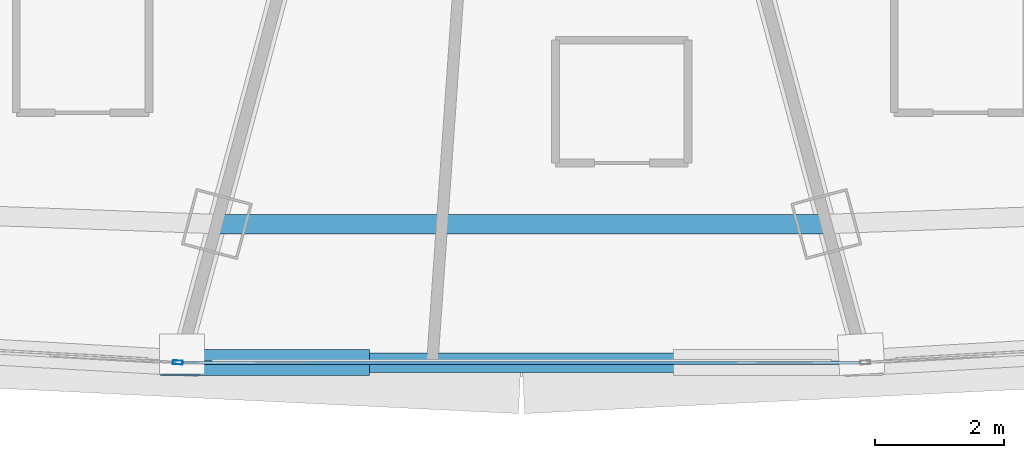
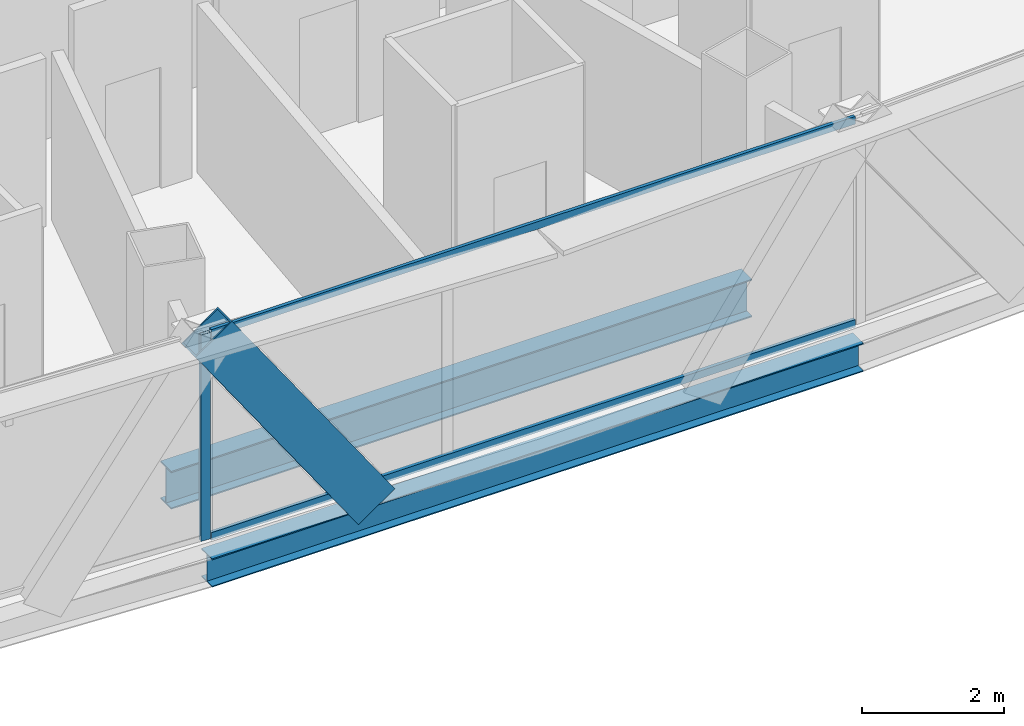
# One storey, part 10 of 40: 4 members, 2 beams, 2 elements without a shape of their own.
"""IFC4 building model written with IfcOpenShell, lengths in metres."""

from ifc_helpers import new_model, si_unit, direction, frame, origin, origin_2d, place, context, subcontext, project, spatial, hollow_rectangle, i_section, extrude, source, transform, mapped, material, layer, layer_set, material_profile, profile_set, type_object, element, aggregate, save


model = new_model("IFC4")

# Units and contexts
model_context = context("Model", 3, precision=1e-05, world=origin(), true_north=direction((0.0, 1.0)))
body_context = subcontext(model_context, "Body", "Model", "MODEL_VIEW")
ifc_project = project(units=[si_unit("LENGTHUNIT", "METRE"), si_unit("AREAUNIT", "SQUARE_METRE"), si_unit("VOLUMEUNIT", "CUBIC_METRE"), si_unit("PLANEANGLEUNIT", "RADIAN"), si_unit("MASSUNIT", "GRAM", prefix="KILO"), si_unit("THERMODYNAMICTEMPERATUREUNIT", "KELVIN"), si_unit("POWERUNIT", "WATT")], contexts=[model_context])

# Site, building, storey
site_placement = place(None, origin())
site = spatial("IfcSite", under=ifc_project, at=site_placement, CompositionType="ELEMENT")
building_placement = place(site_placement, origin())
building = spatial("IfcBuilding", under=site, at=building_placement, Name="Yunzhuo Pagoda Commons", CompositionType="ELEMENT")
storey_placement = place(building_placement, frame((0.0, 0.0, 188.56005859375)))
storey = spatial("IfcBuildingStorey", under=building, at=storey_placement, Name="L47", CompositionType="ELEMENT", Elevation=188.56005859375)

# Beams
ifc_material_1 = material(Name="Structural steel Q355B", Category="steel")
ifc_material_profile_1 = material_profile(ifc_material_1, i_section(OverallWidth=0.300048828125, OverallDepth=0.488037109375, WebThickness=0.010986328125, FlangeThickness=0.01806640625, at=origin_2d()), Name="Structural steel Q355B")
ifc_profile_set_1 = profile_set([ifc_material_profile_1], Name="Structural steel Q355B")
beam_type_1 = type_object("IfcBeamType", Name="B-SP1 Beam HM 488x300x11x18", PredefinedType="BEAM", material=ifc_profile_set_1)
shared_shape_1 = source(origin(), body_context, "Body", "SweptSolid", [
    extrude(i_section(OverallWidth=0.300048828125, OverallDepth=0.488037109375, WebThickness=0.010986328125, FlangeThickness=0.01806640625, at=origin_2d()), origin(), (0.0, 0.0, 1.0), 10.5732421875),
])
beam_1_placement = place(storey_placement, frame((42.71337890625, 13.970458984375, -0.504150390625), z_axis=(1.0, 0.0, 0.0), x_axis=(0.0, 1.0, 0.0)))
element("IfcBeam", 1, at=beam_1_placement, inside=storey, type_object=beam_type_1, Name="L47 facade edge spandrel beam F1.2", PredefinedType="BEAM", context=body_context, shape_type="MappedRepresentation", body=[
    mapped(shared_shape_1, transform((0.0, 0.0, 0.0), scale=1.0)),
])
ifc_material_profile_2 = material_profile(ifc_material_1, i_section(OverallWidth=0.300048828125, OverallDepth=0.64990234375, WebThickness=0.012939453125, FlangeThickness=0.02197265625, at=origin_2d()), Name="Structural steel Q355B")
ifc_profile_set_2 = profile_set([ifc_material_profile_2], Name="Structural steel Q355B")
beam_type_2 = type_object("IfcBeamType", Name="B-RG2 Beam HN 650x300x13x22", PredefinedType="BEAM", material=ifc_profile_set_2)
shared_shape_2 = source(origin(), body_context, "Body", "SweptSolid", [
    extrude(i_section(OverallWidth=0.300048828125, OverallDepth=0.64990234375, WebThickness=0.012939453125, FlangeThickness=0.02197265625, at=origin_2d()), origin(), (0.0, 0.0, 1.0), 9.42529296875),
])
beam_2_placement = place(storey_placement, frame((43.28759765625, 16.1123046875, -0.5849609375), z_axis=(1.0, 0.0, 0.0), x_axis=(0.0, 1.0, 0.0)))
element("IfcBeam", 2, at=beam_2_placement, inside=storey, type_object=beam_type_2, Name="L47 column-ring beam 2", PredefinedType="BEAM", context=body_context, shape_type="MappedRepresentation", body=[
    mapped(shared_shape_2, transform((0.0, 0.0, 0.0), scale=1.0)),
])

# Member
ifc_material_profile_3 = material_profile(ifc_material_1, hollow_rectangle(XDim=0.39990234375, YDim=0.719970703125, WallThickness=0.02392578125, at=origin_2d()), Name="Structural steel Q355B")
ifc_profile_set_3 = profile_set([ifc_material_profile_3], Name="Structural steel Q355B")
member_type_1 = type_object("IfcMemberType", Name="M-DL2 Brace BOX 720x400x24", PredefinedType="BRACE", material=ifc_profile_set_3)
shared_shape_3 = source(origin(), body_context, "Body", "SweptSolid", [
    extrude(hollow_rectangle(XDim=0.39990234375, YDim=0.719970703125, WallThickness=0.02392578125, at=origin_2d()), origin(), (0.0, 0.0, 1.0), 4.629150390625),
])
member_1_placement = place(storey_placement, frame((45.35693359375, 13.970458984375, -0.260009765625), z_axis=(-0.571070669197, 0.0, 0.820900901926), x_axis=(0.0, -1.0, 0.0)))
element("IfcMember", 3, at=member_1_placement, inside=storey, type_object=member_type_1, Name="L47 facade diamond brace F1.2L", PredefinedType="BRACE", context=body_context, shape_type="MappedRepresentation", body=[
    mapped(shared_shape_3, transform((0.0, 0.0, 0.0), scale=1.0)),
])

# Curtain wall, member
ifc_material_2 = material(Name="Anodized aluminium 6063-T6", Category="aluminium")
ifc_layer = layer(ifc_material_2, 0.14990234375)
ifc_layer_set = layer_set([ifc_layer], Name="Anodized aluminium 6063-T6")
curtain_wall_type = type_object("IfcCurtainWallType", Name="CW-MID Mid-Zone Ribbon Curtain Wall", PredefinedType="NOTDEFINED", material=ifc_layer_set)
curtain_wall_1_placement = place(storey_placement, origin())
curtain_wall_1 = element("IfcCurtainWall", 4, at=curtain_wall_1_placement, inside=storey, type_object=curtain_wall_type, Name="L47 curtain wall CW-L47-F1B2", PredefinedType="NOTDEFINED")
ifc_material_profile_4 = material_profile(ifc_material_2, hollow_rectangle(XDim=0.06005859375, YDim=0.14990234375, WallThickness=0.00390625, at=origin_2d()), Name="Anodized aluminium 6063-T6")
ifc_profile_set_4 = profile_set([ifc_material_profile_4], Name="Anodized aluminium 6063-T6")
member_type_2 = type_object("IfcMemberType", Name="CW-MID-M Mullion RHS 150x60x4", PredefinedType="MULLION", material=ifc_profile_set_4)
shared_shape_4 = source(origin(), body_context, "Body", "SweptSolid", [
    extrude(hollow_rectangle(XDim=0.06005859375, YDim=0.14990234375, WallThickness=0.00390625, at=origin_2d()), origin(), (0.0, 0.0, 1.0), 3.5400390625),
])
member_2_placement = place(storey_placement, frame((42.68359375, 13.97216796875, 0.0), z_axis=(0.0, 0.0, 1.0), x_axis=(0.056142665584, 0.998422756702, 0.0)))
member_2 = element("IfcMember", 5, at=member_2_placement, type_object=member_type_2, Name="CW mullion 2", PredefinedType="MULLION", context=body_context, shape_type="MappedRepresentation", body=[
    mapped(shared_shape_4, transform((0.0, 0.0, 0.0), scale=1.0)),
])
aggregate(curtain_wall_1, [member_2])

# Curtain wall, members
curtain_wall_2_placement = place(storey_placement, origin())
curtain_wall_2 = element("IfcCurtainWall", 6, at=curtain_wall_2_placement, inside=storey, type_object=curtain_wall_type, Name="L47 curtain wall CW-L47-F1B3", PredefinedType="NOTDEFINED")
ifc_material_profile_5 = material_profile(ifc_material_2, hollow_rectangle(XDim=0.054931640625, YDim=0.1298828125, WallThickness=0.00341796875, at=origin_2d()), Name="Anodized aluminium 6063-T6")
ifc_profile_set_5 = profile_set([ifc_material_profile_5], Name="Anodized aluminium 6063-T6")
member_type_3 = type_object("IfcMemberType", Name="CW-MID-T Transom RHS 130x55x3.5", PredefinedType="USERDEFINED", material=ifc_profile_set_5)
shared_shape_5 = source(origin(), body_context, "Body", "SweptSolid", [
    extrude(hollow_rectangle(XDim=0.054931640625, YDim=0.1298828125, WallThickness=0.00341796875, at=origin_2d()), origin(), (0.0, 0.0, 1.0), 10.453125),
])
member_3_placement = place(storey_placement, frame((42.773681640625, 13.970458984375, 0.02734375), z_axis=(1.0, 0.0, 0.0), x_axis=(0.0, 1.0, 0.0)))
member_3 = element("IfcMember", 7, at=member_3_placement, type_object=member_type_3, Name="CW transom 1.1", ObjectType="TRANSOM", PredefinedType="USERDEFINED", context=body_context, shape_type="MappedRepresentation", body=[
    mapped(shared_shape_5, transform((0.0, 0.0, 0.0), scale=1.0)),
])
member_4_placement = place(storey_placement, frame((42.773681640625, 13.970458984375, 3.512451171875), z_axis=(1.0, 0.0, 0.0), x_axis=(0.0, 1.0, 0.0)))
member_4 = element("IfcMember", 8, at=member_4_placement, type_object=member_type_3, Name="CW transom 1.2", ObjectType="TRANSOM", PredefinedType="USERDEFINED", context=body_context, shape_type="MappedRepresentation", body=[
    mapped(shared_shape_5, transform((0.0, 0.0, 0.0), scale=1.0)),
])
aggregate(curtain_wall_2, [member_3, member_4])

save(model, "model.ifc")
